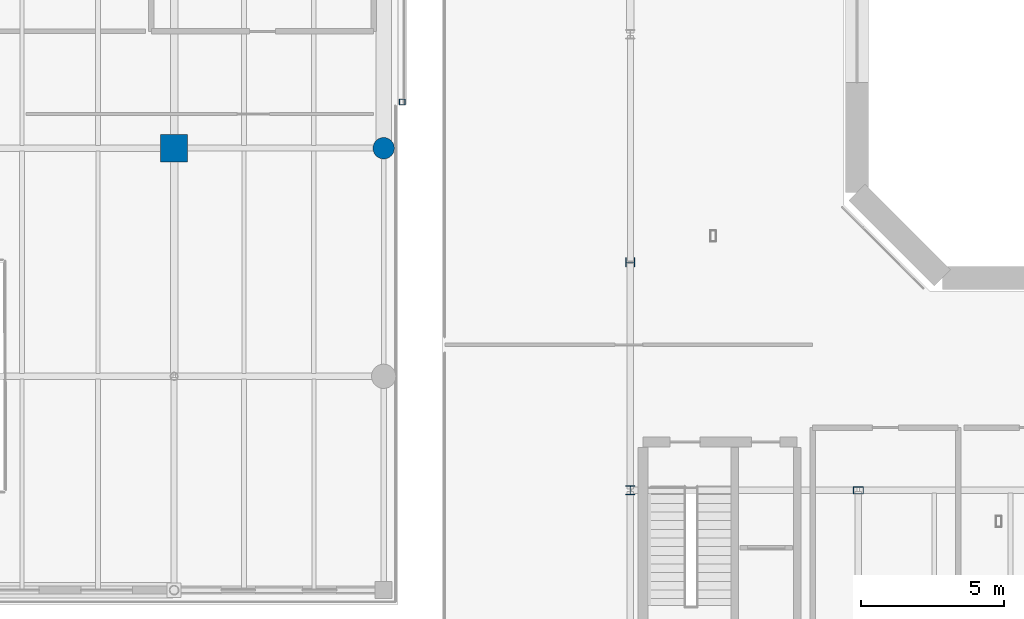
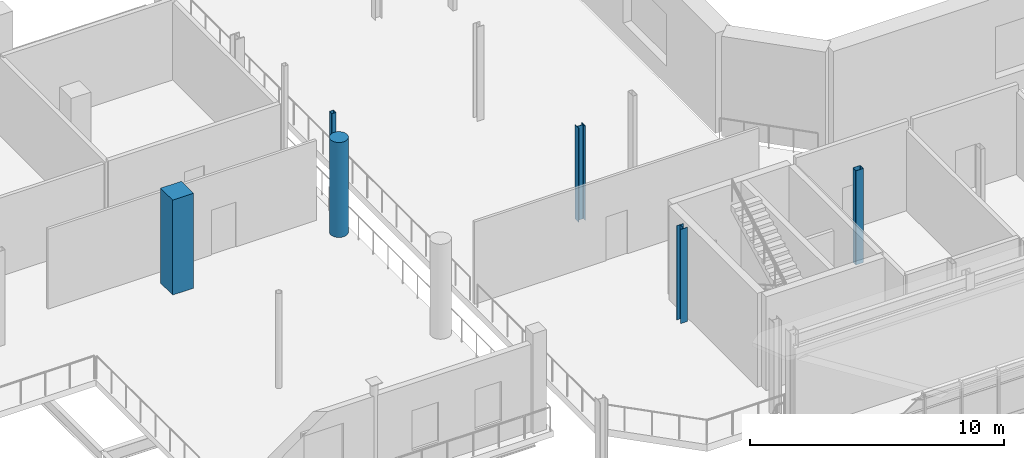
# One storey, part 8 of 93: 6 columns.
"""IFC4 building model written with IfcOpenShell, lengths in metres."""

from ifc_helpers import new_model, si_unit, direction, frame, origin, origin_2d, place, context, subcontext, project, spatial, rectangle, hollow_rectangle, circle, i_section, extrude, material, material_profile, profile_set, type_object, element, save


model = new_model("IFC4")

# Units and contexts
model_context = context("Model", 3, precision=1e-05, world=origin(), true_north=direction((0.0, 1.0)))
body_context = subcontext(model_context, "Body", "Model", "MODEL_VIEW")
ifc_project = project(units=[si_unit("LENGTHUNIT", "METRE"), si_unit("AREAUNIT", "SQUARE_METRE"), si_unit("VOLUMEUNIT", "CUBIC_METRE"), si_unit("PLANEANGLEUNIT", "RADIAN"), si_unit("MASSUNIT", "GRAM", prefix="KILO")], contexts=[model_context])

# Site, building, storey
site_placement = place(None, origin())
site = spatial("IfcSite", under=ifc_project, at=site_placement, CompositionType="ELEMENT")
building_placement = place(site_placement, origin())
building = spatial("IfcBuilding", under=site, at=building_placement, Name="Brisemont Oceanarium", CompositionType="ELEMENT")
storey_placement = place(building_placement, frame((0.0, 0.0, 5.39990234375)))
storey = spatial("IfcBuildingStorey", under=building, at=storey_placement, Name="L01", CompositionType="ELEMENT", Elevation=5.39990234375)

# Columns
ifc_material_1 = material(Name="Structural Steel ASTM A500 Gr.C", Category="steel")
ifc_material_profile_1 = material_profile(ifc_material_1, hollow_rectangle(XDim=0.25390625, YDim=0.35595703125, WallThickness=0.01171875, InnerFilletRadius=0.01220703125, OuterFilletRadius=0.02392578125, at=origin_2d()), Name="HSS14X10X1/2")
ifc_profile_set_1 = profile_set([ifc_material_profile_1], Name="Structural Steel ASTM A500 Gr.C")
column_type_1 = type_object("IfcColumnType", Name="COL-HSS14X10", PredefinedType="COLUMN", material=ifc_profile_set_1)
column_1_placement = place(storey_placement, frame((72.0, 40.0, 0.0), z_axis=(0.0, 0.0, 1.0), x_axis=(0.0, 1.0, 0.0)))
element("IfcColumn", 1, at=column_1_placement, inside=storey, type_object=column_type_1, Name="V1 L01 column (2,1)", PredefinedType="COLUMN", context=body_context, shape_type="SweptSolid", body=[
    extrude(hollow_rectangle(XDim=0.25390625, YDim=0.35595703125, WallThickness=0.01171875, InnerFilletRadius=0.01220703125, OuterFilletRadius=0.02392578125, at=origin_2d()), origin(), (0.0, 0.0, 1.0), 4.52001953125),
])
ifc_material_2 = material(Name="Structural Steel ASTM A500 Gr.C", Category="steel")
ifc_material_profile_2 = material_profile(ifc_material_2, hollow_rectangle(XDim=0.202880859375, YDim=0.202880859375, WallThickness=0.0087890625, InnerFilletRadius=0.009033203125, OuterFilletRadius=0.01806640625, at=origin_2d()), Name="HSS8X8X3/8")
ifc_profile_set_2 = profile_set([ifc_material_profile_2], Name="Structural Steel ASTM A500 Gr.C")
column_type_2 = type_object("IfcColumnType", Name="COL-HSS8X8", PredefinedType="COLUMN", material=ifc_profile_set_2)
column_2_placement = place(storey_placement, frame((56.0, 53.6201171875, 0.0), z_axis=(0.0, 0.0, 1.0), x_axis=(1.0, 0.0, 0.0)))
element("IfcColumn", 2, at=column_2_placement, inside=storey, type_object=column_type_2, Name="Seismic bridge pier L01", PredefinedType="COLUMN", context=body_context, shape_type="SweptSolid", body=[
    extrude(hollow_rectangle(XDim=0.202880859375, YDim=0.202880859375, WallThickness=0.0087890625, InnerFilletRadius=0.009033203125, OuterFilletRadius=0.01806640625, at=origin_2d()), origin(), (0.0, 0.0, 1.0), 4.56005859375),
])
ifc_material_3 = material(Name="Concrete C40/50", Category="concrete")
ifc_material_profile_3 = material_profile(ifc_material_3, rectangle(XDim=0.949951171875, YDim=0.949951171875, at=origin_2d()), Name="RC-COL-950X950")
ifc_profile_set_3 = profile_set([ifc_material_profile_3], Name="Concrete C40/50")
column_type_3 = type_object("IfcColumnType", Name="COL-RC950", PredefinedType="COLUMN", material=ifc_profile_set_3)
column_3_placement = place(storey_placement, frame((48.0, 52.0, 0.0), z_axis=(0.0, 0.0, 1.0), x_axis=(1.0, 0.0, 0.0)))
element("IfcColumn", 3, at=column_3_placement, inside=storey, type_object=column_type_3, Name="V5W L01 column (4,2)", PredefinedType="COLUMN", context=body_context, shape_type="SweptSolid", body=[
    extrude(rectangle(XDim=0.949951171875, YDim=0.949951171875, at=origin_2d()), origin(), (0.0, 0.0, 1.0), 4.56005859375),
])
ifc_material_4 = material(Name="Concrete C40/50", Category="concrete")
ifc_material_profile_4 = material_profile(ifc_material_4, circle(Radius=0.375, at=origin_2d()), Name="RC-COL-D750")
ifc_profile_set_4 = profile_set([ifc_material_profile_4], Name="Concrete C40/50")
column_type_4 = type_object("IfcColumnType", Name="COL-RCD750", PredefinedType="COLUMN", material=ifc_profile_set_4)
column_4_placement = place(storey_placement, frame((55.35009765625, 52.0, 0.0), z_axis=(0.0, 0.0, 1.0), x_axis=(0.0, 1.0, 0.0)))
element("IfcColumn", 4, at=column_4_placement, inside=storey, type_object=column_type_4, Name="V5W L01 column (5,2)", PredefinedType="COLUMN", context=body_context, shape_type="SweptSolid", body=[
    extrude(circle(Radius=0.375, at=origin_2d()), origin(), (0.0, 0.0, 1.0), 4.56005859375),
])
ifc_material_5 = material(Name="Structural Steel ASTM A992 Gr.50", Category="steel")
ifc_material_profile_5 = material_profile(ifc_material_5, i_section(OverallWidth=0.306884765625, OverallDepth=0.31494140625, WebThickness=0.011962890625, FlangeThickness=0.018798828125, FilletRadius=0.012939453125, at=origin_2d()), Name="W12X79")
ifc_profile_set_5 = profile_set([ifc_material_profile_5], Name="Structural Steel ASTM A992 Gr.50")
column_type_5 = type_object("IfcColumnType", Name="COL-W12X79", PredefinedType="COLUMN", material=ifc_profile_set_5)
column_5_placement = place(storey_placement, frame((64.0, 48.0, 0.0), z_axis=(0.0, 0.0, 1.0), x_axis=(0.0, 1.0, 0.0)))
element("IfcColumn", 5, at=column_5_placement, inside=storey, type_object=column_type_5, Name="V1 L01 column (1,2)", PredefinedType="COLUMN", context=body_context, shape_type="SweptSolid", body=[
    extrude(i_section(OverallWidth=0.306884765625, OverallDepth=0.31494140625, WebThickness=0.011962890625, FlangeThickness=0.018798828125, FilletRadius=0.012939453125, at=origin_2d()), origin(), (0.0, 0.0, 1.0), 4.52001953125),
])
ifc_material_6 = material(Name="Structural Steel ASTM A992 Gr.50", Category="steel")
ifc_material_profile_6 = material_profile(ifc_material_6, i_section(OverallWidth=0.30810546875, OverallDepth=0.318115234375, WebThickness=0.01318359375, FlangeThickness=0.0205078125, FilletRadius=0.012939453125, at=origin_2d()), Name="W12X87")
ifc_profile_set_6 = profile_set([ifc_material_profile_6], Name="Structural Steel ASTM A992 Gr.50")
column_type_6 = type_object("IfcColumnType", Name="COL-W12X87", PredefinedType="COLUMN", material=ifc_profile_set_6)
column_6_placement = place(storey_placement, frame((64.0, 40.0, 0.0), z_axis=(0.0, 0.0, 1.0), x_axis=(1.0, 0.0, 0.0)))
element("IfcColumn", 6, at=column_6_placement, inside=storey, type_object=column_type_6, Name="V1 L01 column (1,1)", PredefinedType="COLUMN", context=body_context, shape_type="SweptSolid", body=[
    extrude(i_section(OverallWidth=0.30810546875, OverallDepth=0.318115234375, WebThickness=0.01318359375, FlangeThickness=0.0205078125, FilletRadius=0.012939453125, at=origin_2d()), origin(), (0.0, 0.0, 1.0), 4.52001953125),
])

save(model, "model.ifc")
